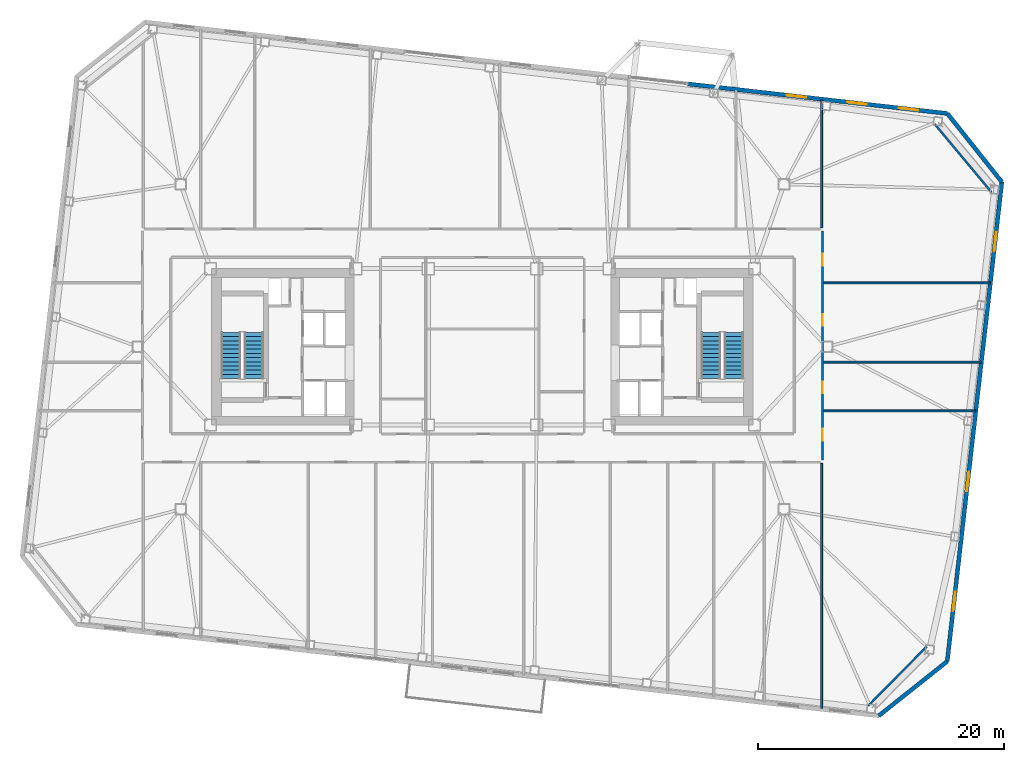
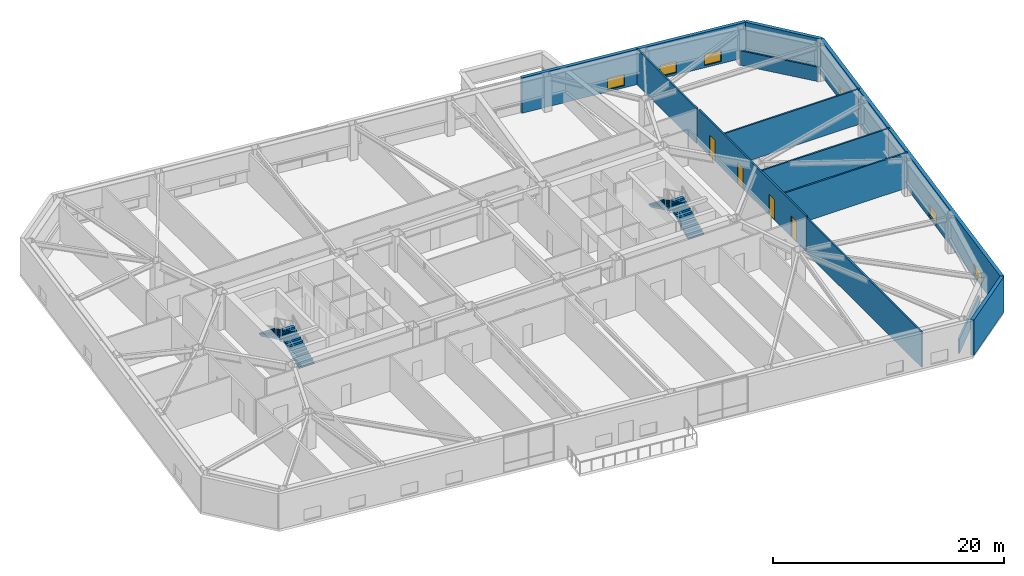
# One storey, part 15 of 21: 12 walls, 6 windows, 4 doors, 4 stair flights, 10 openings, 2 elements without a shape of their own.
"""IFC4 building model written with IfcOpenShell, lengths in metres."""

from ifc_helpers import new_model, si_unit, direction, frame, frame_2d, origin, place, context, subcontext, project, spatial, polyline, rectangle, outline, extrude, material, layer, layer_set, type_object, element, fill, aggregate, save


model = new_model("IFC4")

# Units and contexts
model_context = context("Model", 3, precision=1e-05, world=origin(), true_north=direction((0.0, 1.0)))
body_context = subcontext(model_context, "Body", "Model", "MODEL_VIEW")
ifc_project = project(units=[si_unit("LENGTHUNIT", "METRE"), si_unit("AREAUNIT", "SQUARE_METRE"), si_unit("VOLUMEUNIT", "CUBIC_METRE"), si_unit("PLANEANGLEUNIT", "RADIAN"), si_unit("MASSUNIT", "GRAM", prefix="KILO")], contexts=[model_context])

# Site, building, storey
site_placement = place(None, origin())
site = spatial("IfcSite", under=ifc_project, at=site_placement, CompositionType="ELEMENT")
building_placement = place(site_placement, origin())
building = spatial("IfcBuilding", under=site, at=building_placement, Name="Tavrogorsk Clinical Tower", CompositionType="ELEMENT")
storey_placement = place(building_placement, frame((0.0, 0.0, 109.39990234375)))
storey = spatial("IfcBuildingStorey", under=building, at=storey_placement, Name="L24", CompositionType="ELEMENT", Elevation=109.39990234375)

# Walls
ifc_material_1 = material(Name="Lightweight concrete blockwork B15", Category="masonry")
ifc_layer_1 = layer(ifc_material_1, 0.159912109375)
ifc_layer_set_1 = layer_set([ifc_layer_1], Name="Lightweight concrete blockwork B15")
wall_type_1 = type_object("IfcWallType", Name="PartitionWall_160", PredefinedType="PARTITIONING", material=ifc_layer_set_1)
wall_1_placement = place(storey_placement, frame((31.34130859375, -29.162109375, 0.0), z_axis=(0.0, 0.0, 1.0), x_axis=(0.702905898933, 0.711282853192, 0.0)))
element("IfcWall", 1, at=wall_1_placement, inside=storey, type_object=wall_type_1, Name="L24 Corner Exoskeleton Brace Furring Wall 1", PredefinedType="PARTITIONING", context=body_context, shape_type="SweptSolid", body=[
    extrude(rectangle(XDim=6.761474609375, YDim=0.159912109375, at=frame_2d((3.380859375, 0.0))), origin(), (0.0, 0.0, 1.0), 1.53515625),
])
wall_2_placement = place(storey_placement, frame((41.36083984375, 12.555908203125, 0.0), z_axis=(0.0, 0.0, 1.0), x_axis=(-0.640217638562, 0.768193579298, 0.0)))
element("IfcWall", 2, at=wall_2_placement, inside=storey, type_object=wall_type_1, Name="L24 Corner Exoskeleton Brace Furring Wall 2", PredefinedType="PARTITIONING", context=body_context, shape_type="SweptSolid", body=[
    extrude(rectangle(XDim=7.224365234375, YDim=0.159912109375, at=frame_2d((3.6123046875, 0.0))), origin(), (0.0, 0.0, 1.0), 1.53515625),
])

# Wall, openings, doors
wall_3_placement = place(storey_placement, frame((27.6298828125, 9.4150390625, 0.0), z_axis=(0.0, 0.0, 1.0), x_axis=(0.0, -1.0, 0.0)))
wall_3 = element("IfcWall", 3, at=wall_3_placement, inside=storey, type_object=wall_type_1, Name="L24 Corridor Partition 03", PredefinedType="PARTITIONING", context=body_context, shape_type="SweptSolid", body=[
    extrude(rectangle(XDim=18.630126953125, YDim=0.159912109375, at=frame_2d((9.31494140625, 0.0))), origin(), (0.0, 0.0, 1.0), 3.739990234375),
])
opening_1_placement = place(wall_3_placement, frame((16.080810546875, 0.0, 0.0)))
opening_1 = element("IfcOpeningElement", 4, at=opening_1_placement, cuts=wall_3, Name="Opening ID-02", PredefinedType="OPENING", context=body_context, shape_type="SweptSolid", body=[
    extrude(rectangle(XDim=0.949951171875, YDim=2.199951171875, at=frame_2d((0.47509765625, 1.10009765625))), frame((0.0, 0.08984375, 0.0), z_axis=(0.0, -1.0, 0.0), x_axis=(1.0, 0.0, 0.0)), (0.0, 0.0, 1.0), 0.179931640625),
])
opening_2_placement = place(wall_3_placement, frame((12.25, 0.0, 0.0)))
opening_2 = element("IfcOpeningElement", 5, at=opening_2_placement, cuts=wall_3, Name="Opening ID-02", PredefinedType="OPENING", context=body_context, shape_type="SweptSolid", body=[
    extrude(rectangle(XDim=0.949951171875, YDim=2.199951171875, at=frame_2d((0.47509765625, 1.10009765625))), frame((0.0, 0.08984375, 0.0), z_axis=(0.0, -1.0, 0.0), x_axis=(1.0, 0.0, 0.0)), (0.0, 0.0, 1.0), 0.179931640625),
])
opening_3_placement = place(wall_3_placement, frame((6.75, 0.0, 0.0)))
opening_3 = element("IfcOpeningElement", 6, at=opening_3_placement, cuts=wall_3, Name="Opening ID-02", PredefinedType="OPENING", context=body_context, shape_type="SweptSolid", body=[
    extrude(rectangle(XDim=0.949951171875, YDim=2.199951171875, at=frame_2d((0.47509765625, 1.10009765625))), frame((0.0, 0.08984375, 0.0), z_axis=(0.0, -1.0, 0.0), x_axis=(1.0, 0.0, 0.0)), (0.0, 0.0, 1.0), 0.179931640625),
])
opening_4_placement = place(wall_3_placement, frame((1.869140625, 0.0, 0.0)))
opening_4 = element("IfcOpeningElement", 7, at=opening_4_placement, cuts=wall_3, Name="Opening ID-02", PredefinedType="OPENING", context=body_context, shape_type="SweptSolid", body=[
    extrude(rectangle(XDim=0.949951171875, YDim=2.199951171875, at=frame_2d((0.47509765625, 1.10009765625))), frame((0.0, 0.08984375, 0.0), z_axis=(0.0, -1.0, 0.0), x_axis=(1.0, 0.0, 0.0)), (0.0, 0.0, 1.0), 0.179931640625),
])
ifc_material_2 = material(Name="Laminated timber leaf on aluminium frame", Category="wood")
door_type = type_object("IfcDoorType", Name="InteriorDoor_ID02_950", OperationType="NOTDEFINED", PredefinedType="DOOR", material=ifc_material_2)
door_1_placement = place(opening_1_placement, origin())
door_1 = element("IfcDoor", 8, at=door_1_placement, inside=storey, type_object=door_type, Name="L24 E Senior Clinician Suite 1 Door", OperationType="SINGLE_SWING_RIGHT", OverallHeight=2.199951171875, OverallWidth=0.949951171875, PredefinedType="DOOR", context=body_context, shape_type="SweptSolid", body=[
    extrude(rectangle(XDim=0.949951171875, YDim=2.199951171875, at=frame_2d((0.47509765625, 1.10009765625))), frame((0.0, 0.02490234375, 0.0), z_axis=(0.0, -1.0, 0.0), x_axis=(1.0, 0.0, 0.0)), (0.0, 0.0, 1.0), 0.050048828125),
])
fill(opening_1, door_1)
door_2_placement = place(opening_2_placement, origin())
door_2 = element("IfcDoor", 9, at=door_2_placement, inside=storey, type_object=door_type, Name="L24 E Multidisciplinary Seminar Suite 2 Door", OperationType="SINGLE_SWING_LEFT", OverallHeight=2.199951171875, OverallWidth=0.949951171875, PredefinedType="DOOR", context=body_context, shape_type="SweptSolid", body=[
    extrude(rectangle(XDim=0.949951171875, YDim=2.199951171875, at=frame_2d((0.47509765625, 1.10009765625))), frame((0.0, 0.02490234375, 0.0), z_axis=(0.0, -1.0, 0.0), x_axis=(1.0, 0.0, 0.0)), (0.0, 0.0, 1.0), 0.050048828125),
])
fill(opening_2, door_2)
door_3_placement = place(opening_3_placement, origin())
door_3 = element("IfcDoor", 10, at=door_3_placement, inside=storey, type_object=door_type, Name="L24 E Specialist Consultation Room 3 Door", OperationType="SINGLE_SWING_RIGHT", OverallHeight=2.199951171875, OverallWidth=0.949951171875, PredefinedType="DOOR", context=body_context, shape_type="SweptSolid", body=[
    extrude(rectangle(XDim=0.949951171875, YDim=2.199951171875, at=frame_2d((0.47509765625, 1.10009765625))), frame((0.0, 0.02490234375, 0.0), z_axis=(0.0, -1.0, 0.0), x_axis=(1.0, 0.0, 0.0)), (0.0, 0.0, 1.0), 0.050048828125),
])
fill(opening_3, door_3)
door_4_placement = place(opening_4_placement, origin())
door_4 = element("IfcDoor", 11, at=door_4_placement, inside=storey, type_object=door_type, Name="L24 E Clinical Fellows' Study 4 Door", OperationType="SINGLE_SWING_LEFT", OverallHeight=2.199951171875, OverallWidth=0.949951171875, PredefinedType="DOOR", context=body_context, shape_type="SweptSolid", body=[
    extrude(rectangle(XDim=0.949951171875, YDim=2.199951171875, at=frame_2d((0.47509765625, 1.10009765625))), frame((0.0, 0.02490234375, 0.0), z_axis=(0.0, -1.0, 0.0), x_axis=(1.0, 0.0, 0.0)), (0.0, 0.0, 1.0), 0.050048828125),
])
fill(opening_4, door_4)

# Walls
wall_4_placement = place(storey_placement, frame((27.550048828125, 9.6650390625, 0.0), z_axis=(0.0, 0.0, 1.0), x_axis=(0.0, 1.0, 0.0)))
element("IfcWall", 12, at=wall_4_placement, inside=storey, type_object=wall_type_1, Name="L24 NE Wing Closure Partition", PredefinedType="PARTITIONING", context=body_context, shape_type="SweptSolid", body=[
    extrude(rectangle(XDim=10.388427734375, YDim=0.159912109375, at=frame_2d((5.1943359375, 0.0))), origin(), (0.0, 0.0, 1.0), 3.739990234375),
])
wall_5_placement = place(storey_placement, frame((27.550048828125, -29.384521484375, 0.0), z_axis=(0.0, 0.0, 1.0), x_axis=(0.0, 1.0, 0.0)))
element("IfcWall", 13, at=wall_5_placement, inside=storey, type_object=wall_type_1, Name="L24 SE Wing Closure Partition", PredefinedType="PARTITIONING", context=body_context, shape_type="SweptSolid", body=[
    extrude(rectangle(XDim=19.91943359375, YDim=0.159912109375, at=frame_2d((9.959716796875, 0.0))), origin(), (0.0, 0.0, 1.0), 3.739990234375),
])
wall_6_placement = place(storey_placement, frame((27.715087890625, -5.199951171875, 0.0), z_axis=(0.0, 0.0, 1.0), x_axis=(1.0, 0.0, 0.0)))
element("IfcWall", 14, at=wall_6_placement, inside=storey, type_object=wall_type_1, Name="L24 E Wing Divider 1", PredefinedType="PARTITIONING", context=body_context, shape_type="SweptSolid", body=[
    extrude(rectangle(XDim=12.35205078125, YDim=0.159912109375, at=frame_2d((6.176025390625, 0.0))), origin(), (0.0, 0.0, 1.0), 3.739990234375),
])
wall_7_placement = place(storey_placement, frame((27.715087890625, -1.25, 0.0), z_axis=(0.0, 0.0, 1.0), x_axis=(1.0, 0.0, 0.0)))
element("IfcWall", 15, at=wall_7_placement, inside=storey, type_object=wall_type_1, Name="L24 E Wing Divider 2", PredefinedType="PARTITIONING", context=body_context, shape_type="SweptSolid", body=[
    extrude(rectangle(XDim=12.80224609375, YDim=0.159912109375, at=frame_2d((6.401123046875, 0.0))), origin(), (0.0, 0.0, 1.0), 3.739990234375),
])
wall_8_placement = place(storey_placement, frame((27.715087890625, 5.199951171875, 0.0), z_axis=(0.0, 0.0, 1.0), x_axis=(1.0, 0.0, 0.0)))
element("IfcWall", 16, at=wall_8_placement, inside=storey, type_object=wall_type_1, Name="L24 E Wing Divider 3", PredefinedType="PARTITIONING", context=body_context, shape_type="SweptSolid", body=[
    extrude(rectangle(XDim=13.537109375, YDim=0.159912109375, at=frame_2d((6.7685546875, 0.0))), origin(), (0.0, 0.0, 1.0), 3.739990234375),
])

# Wall, openings, windows
ifc_material_3 = material(Name="Precast concrete B45 with limestone cladding", Category="masonry")
ifc_layer_2 = layer(ifc_material_3, 0.340087890625)
ifc_layer_set_2 = layer_set([ifc_layer_2], Name="Precast concrete B45 with limestone cladding")
wall_type_2 = type_object("IfcWallType", Name="PrecastLimestoneWall_340", PredefinedType="STANDARD", material=ifc_layer_set_2)
wall_9_placement = place(storey_placement, frame((37.77734375, 18.95849609375, 0.0), z_axis=(0.0, 0.0, 1.0), x_axis=(-0.993571362037, 0.113207546299, 0.0)))
wall_9 = element("IfcWall", 17, at=wall_9_placement, inside=storey, type_object=wall_type_2, Name="L24 N Limestone Facade Wall 1", PredefinedType="STANDARD", context=body_context, shape_type="SweptSolid", body=[
    extrude(rectangle(XDim=21.222900390625, YDim=0.340087890625, at=frame_2d((10.611328125, 0.0))), origin(), (0.0, 0.0, 1.0), 3.739990234375),
])
opening_5_placement = place(wall_9_placement, frame((11.534912109375, 0.0, 0.219970703125)))
opening_5 = element("IfcOpeningElement", 18, at=opening_5_placement, cuts=wall_9, Name="Opening WN-09", PredefinedType="OPENING", context=body_context, shape_type="SweptSolid", body=[
    extrude(rectangle(XDim=1.60009765625, YDim=1.199951171875, at=frame_2d((0.800048828125, 0.60009765625))), frame((0.0, 0.179931640625, 0.0), z_axis=(0.0, -1.0, 0.0), x_axis=(1.0, 0.0, 0.0)), (0.0, 0.0, 1.0), 0.360107421875),
])
opening_6_placement = place(wall_9_placement, frame((6.585693359375, 0.0, 0.219970703125)))
opening_6 = element("IfcOpeningElement", 19, at=opening_6_placement, cuts=wall_9, Name="Opening WN-09", PredefinedType="OPENING", context=body_context, shape_type="SweptSolid", body=[
    extrude(rectangle(XDim=1.60009765625, YDim=1.199951171875, at=frame_2d((0.800048828125, 0.60009765625))), frame((0.0, 0.179931640625, 0.0), z_axis=(0.0, -1.0, 0.0), x_axis=(1.0, 0.0, 0.0)), (0.0, 0.0, 1.0), 0.360107421875),
])
opening_7_placement = place(wall_9_placement, frame((2.375244140625, 0.0, 0.219970703125)))
opening_7 = element("IfcOpeningElement", 20, at=opening_7_placement, cuts=wall_9, Name="Opening WN-09", PredefinedType="OPENING", context=body_context, shape_type="SweptSolid", body=[
    extrude(rectangle(XDim=1.60009765625, YDim=1.199951171875, at=frame_2d((0.800048828125, 0.60009765625))), frame((0.0, 0.179931640625, 0.0), z_axis=(0.0, -1.0, 0.0), x_axis=(1.0, 0.0, 0.0)), (0.0, 0.0, 1.0), 0.360107421875),
])
ifc_material_4 = material(Name="Thermally broken aluminium frame and triple IGU", Category="aluminium")
window_type = type_object("IfcWindowType", Name="LowHeadTransWin_1600x1200", PartitioningType="DOUBLE_PANEL_VERTICAL", PredefinedType="WINDOW", material=ifc_material_4)
window_1_placement = place(opening_5_placement, origin())
window_1 = element("IfcWindow", 21, at=window_1_placement, inside=storey, type_object=window_type, Name="L24 N Chicago Window 08", OverallHeight=1.199951171875, OverallWidth=1.60009765625, PartitioningType="SINGLE_PANEL", PredefinedType="WINDOW", context=body_context, shape_type="SweptSolid", body=[
    extrude(rectangle(XDim=1.60009765625, YDim=1.199951171875, at=frame_2d((0.800048828125, 0.60009765625))), frame((0.0, 0.030029296875, 0.0), z_axis=(0.0, -1.0, 0.0), x_axis=(1.0, 0.0, 0.0)), (0.0, 0.0, 1.0), 0.06005859375),
])
fill(opening_5, window_1)
window_2_placement = place(opening_6_placement, origin())
window_2 = element("IfcWindow", 22, at=window_2_placement, inside=storey, type_object=window_type, Name="L24 N Chicago Window 09", OverallHeight=1.199951171875, OverallWidth=1.60009765625, PartitioningType="SINGLE_PANEL", PredefinedType="WINDOW", context=body_context, shape_type="SweptSolid", body=[
    extrude(rectangle(XDim=1.60009765625, YDim=1.199951171875, at=frame_2d((0.800048828125, 0.60009765625))), frame((0.0, 0.030029296875, 0.0), z_axis=(0.0, -1.0, 0.0), x_axis=(1.0, 0.0, 0.0)), (0.0, 0.0, 1.0), 0.06005859375),
])
fill(opening_6, window_2)
window_3_placement = place(opening_7_placement, origin())
window_3 = element("IfcWindow", 23, at=window_3_placement, inside=storey, type_object=window_type, Name="L24 N Chicago Window 10", OverallHeight=1.199951171875, OverallWidth=1.60009765625, PartitioningType="SINGLE_PANEL", PredefinedType="WINDOW", context=body_context, shape_type="SweptSolid", body=[
    extrude(rectangle(XDim=1.60009765625, YDim=1.199951171875, at=frame_2d((0.800048828125, 0.60009765625))), frame((0.0, 0.030029296875, 0.0), z_axis=(0.0, -1.0, 0.0), x_axis=(1.0, 0.0, 0.0)), (0.0, 0.0, 1.0), 0.06005859375),
])
fill(opening_7, window_3)

wall_10_placement = place(storey_placement, frame((37.76806640625, -25.556396484375, 0.0), z_axis=(0.0, 0.0, 1.0), x_axis=(0.113201605824, 0.993572038877, 0.0)))
wall_10 = element("IfcWall", 24, at=wall_10_placement, inside=storey, type_object=wall_type_2, Name="L24 E Pleated Limestone Wing Wall", PredefinedType="STANDARD", context=body_context, shape_type="SweptSolid", body=[
    extrude(rectangle(XDim=39.199951171875, YDim=0.340087890625, at=frame_2d((19.60009765625, 0.0))), origin(), (0.0, 0.0, 1.0), 3.739990234375),
])
opening_8_placement = place(wall_10_placement, frame((4.10009765625, 0.0, 0.219970703125)))
opening_8 = element("IfcOpeningElement", 25, at=opening_8_placement, cuts=wall_10, Name="Opening WN-09", PredefinedType="OPENING", context=body_context, shape_type="SweptSolid", body=[
    extrude(rectangle(XDim=1.60009765625, YDim=1.199951171875, at=frame_2d((0.800048828125, 0.60009765625))), frame((0.0, 0.179931640625, 0.0), z_axis=(0.0, -1.0, 0.0), x_axis=(1.0, 0.0, 0.0)), (0.0, 0.0, 1.0), 0.360107421875),
])
opening_9_placement = place(wall_10_placement, frame((13.89990234375, 0.0, 0.219970703125)))
opening_9 = element("IfcOpeningElement", 26, at=opening_9_placement, cuts=wall_10, Name="Opening WN-09", PredefinedType="OPENING", context=body_context, shape_type="SweptSolid", body=[
    extrude(rectangle(XDim=1.60009765625, YDim=1.199951171875, at=frame_2d((0.800048828125, 0.60009765625))), frame((0.0, 0.179931640625, 0.0), z_axis=(0.0, -1.0, 0.0), x_axis=(1.0, 0.0, 0.0)), (0.0, 0.0, 1.0), 0.360107421875),
])
opening_10_placement = place(wall_10_placement, frame((33.5, 0.0, 0.219970703125)))
opening_10 = element("IfcOpeningElement", 27, at=opening_10_placement, cuts=wall_10, Name="Opening WN-09", PredefinedType="OPENING", context=body_context, shape_type="SweptSolid", body=[
    extrude(rectangle(XDim=1.60009765625, YDim=1.199951171875, at=frame_2d((0.800048828125, 0.60009765625))), frame((0.0, 0.179931640625, 0.0), z_axis=(0.0, -1.0, 0.0), x_axis=(1.0, 0.0, 0.0)), (0.0, 0.0, 1.0), 0.360107421875),
])
window_4_placement = place(opening_8_placement, origin())
window_4 = element("IfcWindow", 28, at=window_4_placement, inside=storey, type_object=window_type, Name="L24 E Pleat Slot Window 1", OverallHeight=1.199951171875, OverallWidth=1.60009765625, PartitioningType="SINGLE_PANEL", PredefinedType="WINDOW", context=body_context, shape_type="SweptSolid", body=[
    extrude(rectangle(XDim=1.60009765625, YDim=1.199951171875, at=frame_2d((0.800048828125, 0.60009765625))), frame((0.0, 0.030029296875, 0.0), z_axis=(0.0, -1.0, 0.0), x_axis=(1.0, 0.0, 0.0)), (0.0, 0.0, 1.0), 0.06005859375),
])
fill(opening_8, window_4)
window_5_placement = place(opening_9_placement, origin())
window_5 = element("IfcWindow", 29, at=window_5_placement, inside=storey, type_object=window_type, Name="L24 E Pleat Slot Window 2", OverallHeight=1.199951171875, OverallWidth=1.60009765625, PartitioningType="SINGLE_PANEL", PredefinedType="WINDOW", context=body_context, shape_type="SweptSolid", body=[
    extrude(rectangle(XDim=1.60009765625, YDim=1.199951171875, at=frame_2d((0.800048828125, 0.60009765625))), frame((0.0, 0.030029296875, 0.0), z_axis=(0.0, -1.0, 0.0), x_axis=(1.0, 0.0, 0.0)), (0.0, 0.0, 1.0), 0.06005859375),
])
fill(opening_9, window_5)
window_6_placement = place(opening_10_placement, origin())
window_6 = element("IfcWindow", 30, at=window_6_placement, inside=storey, type_object=window_type, Name="L24 E Pleat Slot Window 4", OverallHeight=1.199951171875, OverallWidth=1.60009765625, PartitioningType="SINGLE_PANEL", PredefinedType="WINDOW", context=body_context, shape_type="SweptSolid", body=[
    extrude(rectangle(XDim=1.60009765625, YDim=1.199951171875, at=frame_2d((0.800048828125, 0.60009765625))), frame((0.0, 0.030029296875, 0.0), z_axis=(0.0, -1.0, 0.0), x_axis=(1.0, 0.0, 0.0)), (0.0, 0.0, 1.0), 0.06005859375),
])
fill(opening_10, window_6)

# Walls
wall_11_placement = place(storey_placement, frame((32.200927734375, -29.984619140625, 0.0), z_axis=(0.0, 0.0, 1.0), x_axis=(0.78261359446, 0.622507800567, 0.0)))
element("IfcWall", 31, at=wall_11_placement, inside=storey, type_object=wall_type_2, Name="L24 Chamfered Corner Wall 1", PredefinedType="STANDARD", context=body_context, shape_type="SweptSolid", body=[
    extrude(rectangle(XDim=7.113525390625, YDim=0.340087890625, at=frame_2d((3.556640625, 0.0))), origin(), (0.0, 0.0, 1.0), 3.739990234375),
])
wall_12_placement = place(storey_placement, frame((42.20556640625, 13.3916015625, 0.0), z_axis=(0.0, 0.0, 1.0), x_axis=(-0.622524521309, 0.782600294128, 0.0)))
element("IfcWall", 32, at=wall_12_placement, inside=storey, type_object=wall_type_2, Name="L24 Chamfered Corner Wall 2", PredefinedType="STANDARD", context=body_context, shape_type="SweptSolid", body=[
    extrude(rectangle(XDim=7.11328125, YDim=0.340087890625, at=frame_2d((3.556640625, 0.0))), origin(), (0.0, 0.0, 1.0), 3.739990234375),
])

# Stair, stair flights
ifc_material_5 = material(Name="Concrete B60", Category="concrete")
stair_type = type_object("IfcStairType", Name="CoreStairAssembly", PredefinedType="HALF_TURN_STAIR", material=ifc_material_5)
stair_1_placement = place(storey_placement, origin())
stair_1 = element("IfcStair", 33, at=stair_1_placement, inside=storey, type_object=stair_type, Name="L24 ST-W", PredefinedType="HALF_TURN_STAIR")
ifc_material_6 = material(Name="Concrete B60", Category="concrete")
stair_flight_type = type_object("IfcStairFlightType", Name="CoreStairFlight", PredefinedType="STRAIGHT", material=ifc_material_6)
stair_flight_1_placement = place(storey_placement, frame((-18.574951171875, -2.574951171875, 0.0), z_axis=(0.0, 0.0, 1.0), x_axis=(0.0, 1.0, 0.0)))
stair_flight_1 = element("IfcStairFlight", 34, at=stair_flight_1_placement, type_object=stair_flight_type, Name="ST-W flight 1", NumberOfRisers=12, NumberOfTreads=11, PredefinedType="STRAIGHT", RiserHeight=0.166666667, TreadLength=0.34, context=body_context, shape_type="SweptSolid", body=[
    extrude(outline(polyline([(0.0, 0.0), (0.0, 0.166748046875), (0.340087890625, 0.166748046875), (0.340087890625, 0.333251953125), (0.679931640625, 0.333251953125), (0.679931640625, 0.5), (1.02001953125, 0.5), (1.02001953125, 0.666748046875), (1.360107421875, 0.666748046875), (1.360107421875, 0.833251953125), (1.699951171875, 0.833251953125), (1.699951171875, 1.0), (2.0400390625, 1.0), (2.0400390625, 1.166748046875), (2.3798828125, 1.166748046875), (2.3798828125, 1.333251953125), (2.719970703125, 1.333251953125), (2.719970703125, 1.5), (3.06005859375, 1.5), (3.06005859375, 1.666748046875), (3.39990234375, 1.666748046875), (3.39990234375, 1.833251953125), (3.739990234375, 1.833251953125), (3.739990234375, 2.0), (3.739990234375, 1.66650390625), (0.340576171875, 0.0), (0.0, 0.0)])), frame((0.0, 0.77490234375, 0.0), z_axis=(0.0, -1.0, 0.0), x_axis=(1.0, 0.0, 0.0)), (0.0, 0.0, 1.0), 1.550048828125),
])
stair_flight_2_placement = place(storey_placement, frame((-20.425048828125, 1.1650390625, 2.0), z_axis=(0.0, 0.0, 1.0), x_axis=(0.0, -1.0, 0.0)))
stair_flight_2 = element("IfcStairFlight", 35, at=stair_flight_2_placement, type_object=stair_flight_type, Name="ST-W flight 2", NumberOfRisers=12, NumberOfTreads=11, PredefinedType="STRAIGHT", RiserHeight=0.166666667, TreadLength=0.34, context=body_context, shape_type="SweptSolid", body=[
    extrude(outline(polyline([(0.0, 0.0), (0.0, 0.166748046875), (0.340087890625, 0.166748046875), (0.340087890625, 0.333251953125), (0.679931640625, 0.333251953125), (0.679931640625, 0.5), (1.02001953125, 0.5), (1.02001953125, 0.666748046875), (1.360107421875, 0.666748046875), (1.360107421875, 0.833251953125), (1.699951171875, 0.833251953125), (1.699951171875, 1.0), (2.0400390625, 1.0), (2.0400390625, 1.166748046875), (2.3798828125, 1.166748046875), (2.3798828125, 1.333251953125), (2.719970703125, 1.333251953125), (2.719970703125, 1.5), (3.06005859375, 1.5), (3.06005859375, 1.666748046875), (3.39990234375, 1.666748046875), (3.39990234375, 1.833251953125), (3.739990234375, 1.833251953125), (3.739990234375, 2.0), (3.739990234375, 1.66650390625), (0.340576171875, 0.0), (0.0, 0.0)])), frame((0.0, 0.77490234375, 0.0), z_axis=(0.0, -1.0, 0.0), x_axis=(1.0, 0.0, 0.0)), (0.0, 0.0, 1.0), 1.550048828125),
])
aggregate(stair_1, [stair_flight_1, stair_flight_2])

stair_2_placement = place(storey_placement, origin())
stair_2 = element("IfcStair", 36, at=stair_2_placement, inside=storey, type_object=stair_type, Name="L24 ST-E", PredefinedType="HALF_TURN_STAIR")
stair_flight_3_placement = place(storey_placement, frame((20.425048828125, -2.574951171875, 0.0), z_axis=(0.0, 0.0, 1.0), x_axis=(0.0, 1.0, 0.0)))
stair_flight_3 = element("IfcStairFlight", 37, at=stair_flight_3_placement, type_object=stair_flight_type, Name="ST-E flight 1", NumberOfRisers=12, NumberOfTreads=11, PredefinedType="STRAIGHT", RiserHeight=0.166666667, TreadLength=0.34, context=body_context, shape_type="SweptSolid", body=[
    extrude(outline(polyline([(0.0, 0.0), (0.0, 0.166748046875), (0.340087890625, 0.166748046875), (0.340087890625, 0.333251953125), (0.679931640625, 0.333251953125), (0.679931640625, 0.5), (1.02001953125, 0.5), (1.02001953125, 0.666748046875), (1.360107421875, 0.666748046875), (1.360107421875, 0.833251953125), (1.699951171875, 0.833251953125), (1.699951171875, 1.0), (2.0400390625, 1.0), (2.0400390625, 1.166748046875), (2.3798828125, 1.166748046875), (2.3798828125, 1.333251953125), (2.719970703125, 1.333251953125), (2.719970703125, 1.5), (3.06005859375, 1.5), (3.06005859375, 1.666748046875), (3.39990234375, 1.666748046875), (3.39990234375, 1.833251953125), (3.739990234375, 1.833251953125), (3.739990234375, 2.0), (3.739990234375, 1.66650390625), (0.340576171875, 0.0), (0.0, 0.0)])), frame((0.0, 0.77490234375, 0.0), z_axis=(0.0, -1.0, 0.0), x_axis=(1.0, 0.0, 0.0)), (0.0, 0.0, 1.0), 1.550048828125),
])
stair_flight_4_placement = place(storey_placement, frame((18.574951171875, 1.1650390625, 2.0), z_axis=(0.0, 0.0, 1.0), x_axis=(0.0, -1.0, 0.0)))
stair_flight_4 = element("IfcStairFlight", 38, at=stair_flight_4_placement, type_object=stair_flight_type, Name="ST-E flight 2", NumberOfRisers=12, NumberOfTreads=11, PredefinedType="STRAIGHT", RiserHeight=0.166666667, TreadLength=0.34, context=body_context, shape_type="SweptSolid", body=[
    extrude(outline(polyline([(0.0, 0.0), (0.0, 0.166748046875), (0.340087890625, 0.166748046875), (0.340087890625, 0.333251953125), (0.679931640625, 0.333251953125), (0.679931640625, 0.5), (1.02001953125, 0.5), (1.02001953125, 0.666748046875), (1.360107421875, 0.666748046875), (1.360107421875, 0.833251953125), (1.699951171875, 0.833251953125), (1.699951171875, 1.0), (2.0400390625, 1.0), (2.0400390625, 1.166748046875), (2.3798828125, 1.166748046875), (2.3798828125, 1.333251953125), (2.719970703125, 1.333251953125), (2.719970703125, 1.5), (3.06005859375, 1.5), (3.06005859375, 1.666748046875), (3.39990234375, 1.666748046875), (3.39990234375, 1.833251953125), (3.739990234375, 1.833251953125), (3.739990234375, 2.0), (3.739990234375, 1.66650390625), (0.340576171875, 0.0), (0.0, 0.0)])), frame((0.0, 0.77490234375, 0.0), z_axis=(0.0, -1.0, 0.0), x_axis=(1.0, 0.0, 0.0)), (0.0, 0.0, 1.0), 1.550048828125),
])
aggregate(stair_2, [stair_flight_3, stair_flight_4])

save(model, "model.ifc")
